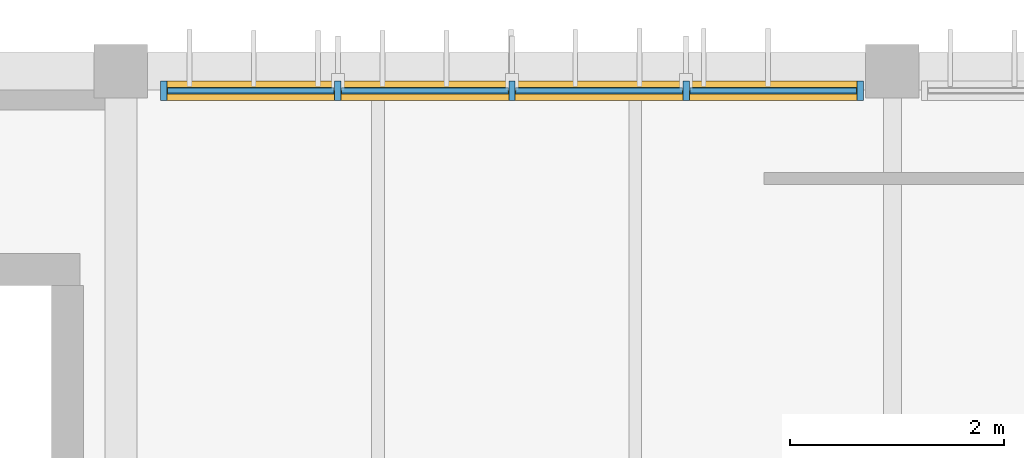
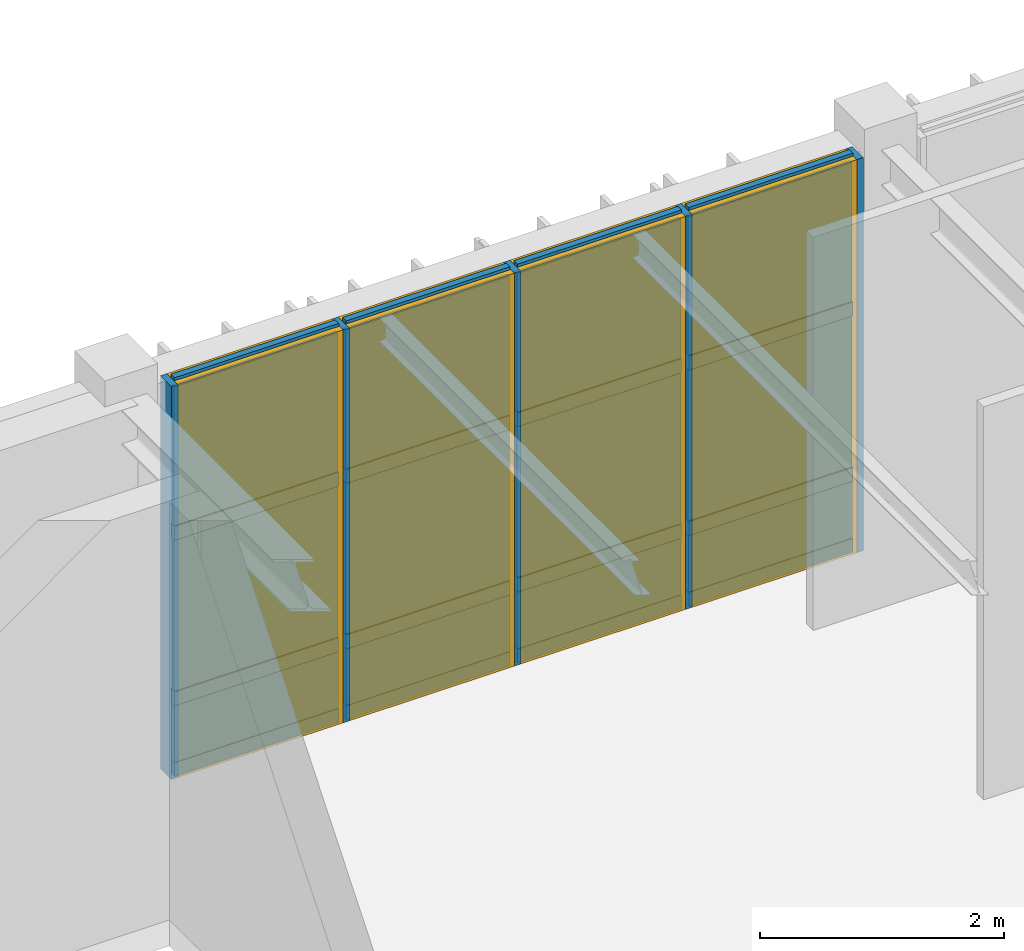
# One storey, part 96 of 122: 21 members, 12 plates, 1 curtain wall.
"""IFC4 building model written with IfcOpenShell, lengths in metres."""

import ifcopenshell
import ifcopenshell.guid

model = None  # the IFC model being written
_history = None  # IfcOwnerHistory: only IFC2X3 demands one
_inside = {}  # id of a spatial element -> (the spatial element, [elements in it])
_under = {}  # id of a project, library or spatial element -> (it, [spatial elements below it])
_declared = {}  # id of a project -> (the project, [libraries it declares])
_typed = {}  # id of a type object -> (the type object, [elements of that type])
_made_of = {}  # id of a material, layer set ... -> (it, [elements and type objects made of it])


def new_model(schema):
    """Start an empty IFC model of exactly this schema.

    Asked for "IFC4X3", IfcOpenShell would pick the latest addendum, in which some entities
    have other attributes; the version numbers below select the first issue.
    IFC2X3 requires an IfcOwnerHistory on every rooted entity: one is made here for all.
    """
    global model, _history
    if schema == "IFC4X3":
        model = ifcopenshell.file(schema_version=(4, 3, 0, 0))
    else:
        model = ifcopenshell.file(schema=schema)
    _inside.clear()
    _under.clear()
    _declared.clear()
    _typed.clear()
    _made_of.clear()
    _history = None
    if model.schema == "IFC2X3":
        org = make("IfcOrganization", Name="unknown")
        user = make(
            "IfcPersonAndOrganization",
            ThePerson=make("IfcPerson", FamilyName="unknown"),
            TheOrganization=org,
        )
        app = make(
            "IfcApplication",
            ApplicationDeveloper=org,
            Version="unknown",
            ApplicationFullName="unknown",
            ApplicationIdentifier="unknown",
        )
        _history = make(
            "IfcOwnerHistory",
            OwningUser=user,
            OwningApplication=app,
            ChangeAction="ADDED",
            CreationDate=0,
        )
    return model


def make(cls, **values):
    """One entity of the class cls with the attributes given. An attribute that is None is left unset."""
    return model.create_entity(
        cls, **{name: value for name, value in values.items() if value is not None}
    )


def rooted(cls, **values):
    """An entity with a GlobalId (a new one), such as an element, a storey or a relation."""
    return make(cls, GlobalId=ifcopenshell.guid.new(), OwnerHistory=_history, **values)


def si_unit(unit_type, name, prefix=None):
    """IfcSIUnit, for example si_unit("LENGTHUNIT", "METRE", prefix="MILLI")."""
    return make("IfcSIUnit", UnitType=unit_type, Prefix=prefix, Name=name)


def assignment(units):
    """IfcUnitAssignment: the units of a project."""
    return None if units is None else make("IfcUnitAssignment", Units=units)


def point(xyz):
    """IfcCartesianPoint."""
    return None if xyz is None else make("IfcCartesianPoint", Coordinates=xyz)


def direction(xyz):
    """IfcDirection."""
    return None if xyz is None else make("IfcDirection", DirectionRatios=xyz)


def frame(location, z_axis=None, x_axis=None):
    """IfcAxis2Placement3D, a coordinate frame: its origin and axes. An axis left out is left unset."""
    return make(
        "IfcAxis2Placement3D",
        Location=point(location),
        Axis=direction(z_axis),
        RefDirection=direction(x_axis),
    )


def frame_2d(location, x_axis=None):
    """IfcAxis2Placement2D, a coordinate frame in the plane: its origin and x axis."""
    return make(
        "IfcAxis2Placement2D", Location=point(location), RefDirection=direction(x_axis)
    )


def origin():
    """The frame at (0, 0, 0) with its axes left unset."""
    return frame((0.0, 0.0, 0.0))


def origin_2d():
    """The frame at (0, 0) in the plane with its x axis left unset."""
    return frame_2d((0.0, 0.0))


def place(relative_to, where):
    """IfcLocalPlacement: puts the frame where relative to a parent placement (None: the world)."""
    return make(
        "IfcLocalPlacement", PlacementRelTo=relative_to, RelativePlacement=where
    )


def context(
    kind, dimensions, precision=None, world=None, true_north=None, identifier=None
):
    """IfcGeometricRepresentationContext, for example the 3D "Model" context."""
    return make(
        "IfcGeometricRepresentationContext",
        ContextIdentifier=identifier,
        ContextType=kind,
        CoordinateSpaceDimension=dimensions,
        Precision=precision,
        WorldCoordinateSystem=world,
        TrueNorth=true_north,
    )


def subcontext(parent, identifier, kind, view, scale=None):
    """IfcGeometricRepresentationSubContext, for example "Body" below "Model"."""
    return make(
        "IfcGeometricRepresentationSubContext",
        ContextIdentifier=identifier,
        ContextType=kind,
        ParentContext=parent,
        TargetScale=scale,
        TargetView=view,
    )


def project(units=None, contexts=None):
    """IfcProject with its units and contexts."""
    return rooted(
        "IfcProject",
        Name="project",
        RepresentationContexts=contexts,
        UnitsInContext=assignment(units),
    )


def spatial(cls, under=None, at=None, **own):
    """A site, building, storey or space (cls), placed at a placement, below another one or the project."""
    s = rooted(cls, ObjectPlacement=at, **own)
    if under is not None:
        _under.setdefault(under.id(), (under, []))[1].append(s)
    return s


def profile(cls, at=None, kind="AREA", **sizes):
    """A parametric profile (cls). Its sizes go by their IFC names, for example OverallWidth=200.0."""
    return make(cls, ProfileType=kind, Position=at, **sizes)


def rectangle(**sizes):
    """IfcRectangleProfileDef."""
    return profile("IfcRectangleProfileDef", **sizes)


def extrude(swept, where, along, depth):
    """IfcExtrudedAreaSolid: the profile swept, set in the frame where, extruded along a direction by depth."""
    return make(
        "IfcExtrudedAreaSolid",
        SweptArea=swept,
        Position=where,
        ExtrudedDirection=direction(along),
        Depth=depth,
    )


def shape(context_of_items, identifier, shape_type, items):
    """IfcShapeRepresentation: the items that make up one representation, for example the "Body"."""
    return make(
        "IfcShapeRepresentation",
        ContextOfItems=context_of_items,
        RepresentationIdentifier=identifier,
        RepresentationType=shape_type,
        Items=items,
    )


def material(Name=None, Category=None):
    """IfcMaterial."""
    return make("IfcMaterial", Name=Name, Category=Category)


def layer(
    of_material, thickness, ventilated=None, Name=None, Category=None, Priority=None
):
    """IfcMaterialLayer: one layer of a wall or slab, of a material (None: an air gap)."""
    return make(
        "IfcMaterialLayer",
        Material=of_material,
        LayerThickness=thickness,
        IsVentilated=ventilated,
        Name=Name,
        Category=Category,
        Priority=Priority,
    )


def layer_set(layers, Name=None):
    """IfcMaterialLayerSet."""
    return make("IfcMaterialLayerSet", MaterialLayers=layers, LayerSetName=Name)


def material_profile(
    of_material, cross_section, Name=None, Category=None, Priority=None
):
    """IfcMaterialProfile: a cross section and its material."""
    return make(
        "IfcMaterialProfile",
        Name=Name,
        Material=of_material,
        Profile=cross_section,
        Priority=Priority,
        Category=Category,
    )


def profile_set(profiles, Name=None, composite=None):
    """IfcMaterialProfileSet."""
    return make(
        "IfcMaterialProfileSet",
        Name=Name,
        MaterialProfiles=profiles,
        CompositeProfile=composite,
    )


def made_of(thing, what):
    """Note that an element or type object is made of a material, layer set ...; save() writes the relation."""
    if what is not None:
        _made_of.setdefault(what.id(), (what, []))[1].append(thing)
    return thing


def type_object(cls, material=None, **own):
    """A type object (cls), such as IfcWallType, which elements share."""
    return made_of(rooted(cls, **own), material)


def element(
    cls,
    number,
    at=None,
    inside=None,
    cuts=None,
    type_object=None,
    material=None,
    context=None,
    identifier="Body",
    shape_type=None,
    held_by="IfcProductDefinitionShape",
    body=None,
    shapes=None,
    **own,
):
    """One element of the class cls, such as IfcWall. Its Tag is "e" and its number.

    at: its placement. inside: the storey or other place that contains it. cuts: it is an
    opening in that element (IfcRelVoidsElement). A single representation is given by context,
    identifier, shape_type and body (its items); several are given by shapes. held_by: the class
    of the entity that holds the representations. save() writes the other relations.
    """
    e = rooted(cls, Tag="e%d" % number, ObjectPlacement=at, **own)
    if body is not None:
        shapes = [shape(context, identifier, shape_type, body)]
    if shapes is not None:
        e.Representation = make(held_by, Representations=shapes)
    if inside is not None:
        _inside.setdefault(inside.id(), (inside, []))[1].append(e)
    if cuts is not None:
        rooted(
            "IfcRelVoidsElement", RelatingBuildingElement=cuts, RelatedOpeningElement=e
        )
    if type_object is not None:
        _typed.setdefault(type_object.id(), (type_object, []))[1].append(e)
    return made_of(e, material)


def aggregate(whole, parts):
    """IfcRelAggregates: a whole, such as a stair, and the parts it consists of."""
    return rooted("IfcRelAggregates", RelatingObject=whole, RelatedObjects=parts)


def save(model, path):
    """Write the relations noted so far, then the file.

    IfcRelAggregates (storeys below a building ...), IfcRelContainedInSpatialStructure (elements
    in a storey), IfcRelDefinesByType, IfcRelAssociatesMaterial and IfcRelDeclares: one each for
    every whole, place, type object, material and project.
    """
    for whole, parts in _under.values():
        aggregate(whole, parts)
    for where, things in _inside.values():
        rooted(
            "IfcRelContainedInSpatialStructure",
            RelatedElements=things,
            RelatingStructure=where,
        )
    for kind, things in _typed.values():
        rooted("IfcRelDefinesByType", RelatedObjects=things, RelatingType=kind)
    for what, things in _made_of.values():
        rooted("IfcRelAssociatesMaterial", RelatedObjects=things, RelatingMaterial=what)
    for by, libraries in _declared.values():
        rooted("IfcRelDeclares", RelatingContext=by, RelatedDefinitions=libraries)
    model.write(path)


model = new_model("IFC4")

# Units and contexts
model_context = context("Model", 3, precision=1e-05, world=origin(), true_north=direction((0.0, 1.0)))
body_context = subcontext(model_context, "Body", "Model", "MODEL_VIEW")
ifc_project = project(units=[si_unit("LENGTHUNIT", "METRE"), si_unit("AREAUNIT", "SQUARE_METRE"), si_unit("VOLUMEUNIT", "CUBIC_METRE"), si_unit("PLANEANGLEUNIT", "RADIAN"), si_unit("MASSUNIT", "GRAM", prefix="KILO")], contexts=[model_context])

# Member
ifc_material_1 = material(Name="Anodised Bronze Aluminium 6063-T6", Category="aluminium")
ifc_material_profile_1 = material_profile(ifc_material_1, rectangle(XDim=0.06005859375, YDim=0.179931640625, at=origin_2d()), Name="ALU MULLION 60x180")
ifc_profile_set_1 = profile_set([ifc_material_profile_1], Name="Anodised Bronze Aluminium 6063-T6")
member_type_1 = type_object("IfcMemberType", Name="Curtain-Wall Primary Mullion 60x180", PredefinedType="MULLION", material=ifc_profile_set_1)
site_placement = place(None, origin())
building_placement = place(site_placement, origin())
storey_placement = place(building_placement, frame((0.0, 0.0, 4.800048828125)))
member_1_placement = place(storey_placement, frame((103.0, 111.6201171875, 0.0), z_axis=(0.0, 0.0, 1.0), x_axis=(1.0, 0.0, 0.0)))
member_1 = element("IfcMember", 1, at=member_1_placement, type_object=member_type_1, Name="Mullion CWM-01 CW-V3-N1-L01-B1-M01", PredefinedType="MULLION", context=body_context, shape_type="SweptSolid", body=[
    extrude(rectangle(XDim=0.06005859375, YDim=0.179931640625, at=origin_2d()), origin(), (0.0, 0.0, 1.0), 3.93994140625),
])

member_2_placement = place(storey_placement, frame((104.625, 111.6201171875, 0.0), z_axis=(0.0, 0.0, 1.0), x_axis=(1.0, 0.0, 0.0)))
member_2 = element("IfcMember", 2, at=member_2_placement, type_object=member_type_1, Name="Mullion CWM-01 CW-V3-N1-L01-B1-M02", PredefinedType="MULLION", context=body_context, shape_type="SweptSolid", body=[
    extrude(rectangle(XDim=0.06005859375, YDim=0.179931640625, at=origin_2d()), origin(), (0.0, 0.0, 1.0), 3.93994140625),
])

member_3_placement = place(storey_placement, frame((106.25, 111.6201171875, 0.0), z_axis=(0.0, 0.0, 1.0), x_axis=(1.0, 0.0, 0.0)))
member_3 = element("IfcMember", 3, at=member_3_placement, type_object=member_type_1, Name="Mullion CWM-01 CW-V3-N1-L01-B1-M03", PredefinedType="MULLION", context=body_context, shape_type="SweptSolid", body=[
    extrude(rectangle(XDim=0.06005859375, YDim=0.179931640625, at=origin_2d()), origin(), (0.0, 0.0, 1.0), 3.93994140625),
])

member_4_placement = place(storey_placement, frame((107.875, 111.6201171875, 0.0), z_axis=(0.0, 0.0, 1.0), x_axis=(1.0, 0.0, 0.0)))
member_4 = element("IfcMember", 4, at=member_4_placement, type_object=member_type_1, Name="Mullion CWM-01 CW-V3-N1-L01-B1-M04", PredefinedType="MULLION", context=body_context, shape_type="SweptSolid", body=[
    extrude(rectangle(XDim=0.06005859375, YDim=0.179931640625, at=origin_2d()), origin(), (0.0, 0.0, 1.0), 3.93994140625),
])

member_5_placement = place(storey_placement, frame((109.5, 111.6201171875, 0.0), z_axis=(0.0, 0.0, 1.0), x_axis=(1.0, 0.0, 0.0)))
member_5 = element("IfcMember", 5, at=member_5_placement, type_object=member_type_1, Name="Mullion CWM-01 CW-V3-N1-L01-B1-M05", PredefinedType="MULLION", context=body_context, shape_type="SweptSolid", body=[
    extrude(rectangle(XDim=0.06005859375, YDim=0.179931640625, at=origin_2d()), origin(), (0.0, 0.0, 1.0), 3.93994140625),
])

ifc_material_profile_2 = material_profile(ifc_material_1, rectangle(XDim=0.06005859375, YDim=0.139892578125, at=origin_2d()), Name="ALU TRANSOM 60x140")
ifc_profile_set_2 = profile_set([ifc_material_profile_2], Name="Anodised Bronze Aluminium 6063-T6")
member_type_2 = type_object("IfcMemberType", Name="Curtain-Wall Transom 60x140", PredefinedType="USERDEFINED", material=ifc_profile_set_2)
member_6_placement = place(storey_placement, frame((103.034912109375, 111.6201171875, 0.0400390625), z_axis=(1.0, 0.0, 0.0), x_axis=(0.0, 1.0, 0.0)))
member_6 = element("IfcMember", 6, at=member_6_placement, type_object=member_type_2, Name="Transom CWT-01 CW-V3-N1-L01-B1-T01.1", ObjectType="TRANSOM", PredefinedType="USERDEFINED", context=body_context, shape_type="SweptSolid", body=[
    extrude(rectangle(XDim=0.06005859375, YDim=0.139892578125, at=origin_2d()), origin(), (0.0, 0.0, 1.0), 1.55517578125),
])

member_7_placement = place(storey_placement, frame((103.034912109375, 111.6201171875, 0.75), z_axis=(1.0, 0.0, 0.0), x_axis=(0.0, 1.0, 0.0)))
member_7 = element("IfcMember", 7, at=member_7_placement, type_object=member_type_2, Name="Transom CWT-01 CW-V3-N1-L01-B1-T01.2", ObjectType="TRANSOM", PredefinedType="USERDEFINED", context=body_context, shape_type="SweptSolid", body=[
    extrude(rectangle(XDim=0.06005859375, YDim=0.139892578125, at=origin_2d()), origin(), (0.0, 0.0, 1.0), 1.55517578125),
])

member_8_placement = place(storey_placement, frame((103.034912109375, 111.6201171875, 2.40869140625), z_axis=(1.0, 0.0, 0.0), x_axis=(0.0, 1.0, 0.0)))
member_8 = element("IfcMember", 8, at=member_8_placement, type_object=member_type_2, Name="Transom CWT-01 CW-V3-N1-L01-B1-T01.3", ObjectType="TRANSOM", PredefinedType="USERDEFINED", context=body_context, shape_type="SweptSolid", body=[
    extrude(rectangle(XDim=0.06005859375, YDim=0.139892578125, at=origin_2d()), origin(), (0.0, 0.0, 1.0), 1.55517578125),
])

member_9_placement = place(storey_placement, frame((103.034912109375, 111.6201171875, 3.89990234375), z_axis=(1.0, 0.0, 0.0), x_axis=(0.0, 1.0, 0.0)))
member_9 = element("IfcMember", 9, at=member_9_placement, type_object=member_type_2, Name="Transom CWT-01 CW-V3-N1-L01-B1-T01.4", ObjectType="TRANSOM", PredefinedType="USERDEFINED", context=body_context, shape_type="SweptSolid", body=[
    extrude(rectangle(XDim=0.06005859375, YDim=0.139892578125, at=origin_2d()), origin(), (0.0, 0.0, 1.0), 1.55517578125),
])

member_10_placement = place(storey_placement, frame((104.659912109375, 111.6201171875, 0.0400390625), z_axis=(1.0, 0.0, 0.0), x_axis=(0.0, 1.0, 0.0)))
member_10 = element("IfcMember", 10, at=member_10_placement, type_object=member_type_2, Name="Transom CWT-01 CW-V3-N1-L01-B1-T02.1", ObjectType="TRANSOM", PredefinedType="USERDEFINED", context=body_context, shape_type="SweptSolid", body=[
    extrude(rectangle(XDim=0.06005859375, YDim=0.139892578125, at=origin_2d()), origin(), (0.0, 0.0, 1.0), 1.55517578125),
])

member_11_placement = place(storey_placement, frame((104.659912109375, 111.6201171875, 0.75), z_axis=(1.0, 0.0, 0.0), x_axis=(0.0, 1.0, 0.0)))
member_11 = element("IfcMember", 11, at=member_11_placement, type_object=member_type_2, Name="Transom CWT-01 CW-V3-N1-L01-B1-T02.2", ObjectType="TRANSOM", PredefinedType="USERDEFINED", context=body_context, shape_type="SweptSolid", body=[
    extrude(rectangle(XDim=0.06005859375, YDim=0.139892578125, at=origin_2d()), origin(), (0.0, 0.0, 1.0), 1.55517578125),
])

member_12_placement = place(storey_placement, frame((104.659912109375, 111.6201171875, 2.40869140625), z_axis=(1.0, 0.0, 0.0), x_axis=(0.0, 1.0, 0.0)))
member_12 = element("IfcMember", 12, at=member_12_placement, type_object=member_type_2, Name="Transom CWT-01 CW-V3-N1-L01-B1-T02.3", ObjectType="TRANSOM", PredefinedType="USERDEFINED", context=body_context, shape_type="SweptSolid", body=[
    extrude(rectangle(XDim=0.06005859375, YDim=0.139892578125, at=origin_2d()), origin(), (0.0, 0.0, 1.0), 1.55517578125),
])

member_13_placement = place(storey_placement, frame((104.659912109375, 111.6201171875, 3.89990234375), z_axis=(1.0, 0.0, 0.0), x_axis=(0.0, 1.0, 0.0)))
member_13 = element("IfcMember", 13, at=member_13_placement, type_object=member_type_2, Name="Transom CWT-01 CW-V3-N1-L01-B1-T02.4", ObjectType="TRANSOM", PredefinedType="USERDEFINED", context=body_context, shape_type="SweptSolid", body=[
    extrude(rectangle(XDim=0.06005859375, YDim=0.139892578125, at=origin_2d()), origin(), (0.0, 0.0, 1.0), 1.55517578125),
])

member_14_placement = place(storey_placement, frame((106.284912109375, 111.6201171875, 0.0400390625), z_axis=(1.0, 0.0, 0.0), x_axis=(0.0, 1.0, 0.0)))
member_14 = element("IfcMember", 14, at=member_14_placement, type_object=member_type_2, Name="Transom CWT-01 CW-V3-N1-L01-B1-T03.1", ObjectType="TRANSOM", PredefinedType="USERDEFINED", context=body_context, shape_type="SweptSolid", body=[
    extrude(rectangle(XDim=0.06005859375, YDim=0.139892578125, at=origin_2d()), origin(), (0.0, 0.0, 1.0), 1.55517578125),
])

member_15_placement = place(storey_placement, frame((106.284912109375, 111.6201171875, 0.75), z_axis=(1.0, 0.0, 0.0), x_axis=(0.0, 1.0, 0.0)))
member_15 = element("IfcMember", 15, at=member_15_placement, type_object=member_type_2, Name="Transom CWT-01 CW-V3-N1-L01-B1-T03.2", ObjectType="TRANSOM", PredefinedType="USERDEFINED", context=body_context, shape_type="SweptSolid", body=[
    extrude(rectangle(XDim=0.06005859375, YDim=0.139892578125, at=origin_2d()), origin(), (0.0, 0.0, 1.0), 1.55517578125),
])

member_16_placement = place(storey_placement, frame((106.284912109375, 111.6201171875, 2.40869140625), z_axis=(1.0, 0.0, 0.0), x_axis=(0.0, 1.0, 0.0)))
member_16 = element("IfcMember", 16, at=member_16_placement, type_object=member_type_2, Name="Transom CWT-01 CW-V3-N1-L01-B1-T03.3", ObjectType="TRANSOM", PredefinedType="USERDEFINED", context=body_context, shape_type="SweptSolid", body=[
    extrude(rectangle(XDim=0.06005859375, YDim=0.139892578125, at=origin_2d()), origin(), (0.0, 0.0, 1.0), 1.55517578125),
])

member_17_placement = place(storey_placement, frame((106.284912109375, 111.6201171875, 3.89990234375), z_axis=(1.0, 0.0, 0.0), x_axis=(0.0, 1.0, 0.0)))
member_17 = element("IfcMember", 17, at=member_17_placement, type_object=member_type_2, Name="Transom CWT-01 CW-V3-N1-L01-B1-T03.4", ObjectType="TRANSOM", PredefinedType="USERDEFINED", context=body_context, shape_type="SweptSolid", body=[
    extrude(rectangle(XDim=0.06005859375, YDim=0.139892578125, at=origin_2d()), origin(), (0.0, 0.0, 1.0), 1.55517578125),
])

member_18_placement = place(storey_placement, frame((107.909912109375, 111.6201171875, 0.0400390625), z_axis=(1.0, 0.0, 0.0), x_axis=(0.0, 1.0, 0.0)))
member_18 = element("IfcMember", 18, at=member_18_placement, type_object=member_type_2, Name="Transom CWT-01 CW-V3-N1-L01-B1-T04.1", ObjectType="TRANSOM", PredefinedType="USERDEFINED", context=body_context, shape_type="SweptSolid", body=[
    extrude(rectangle(XDim=0.06005859375, YDim=0.139892578125, at=origin_2d()), origin(), (0.0, 0.0, 1.0), 1.55517578125),
])

member_19_placement = place(storey_placement, frame((107.909912109375, 111.6201171875, 0.75), z_axis=(1.0, 0.0, 0.0), x_axis=(0.0, 1.0, 0.0)))
member_19 = element("IfcMember", 19, at=member_19_placement, type_object=member_type_2, Name="Transom CWT-01 CW-V3-N1-L01-B1-T04.2", ObjectType="TRANSOM", PredefinedType="USERDEFINED", context=body_context, shape_type="SweptSolid", body=[
    extrude(rectangle(XDim=0.06005859375, YDim=0.139892578125, at=origin_2d()), origin(), (0.0, 0.0, 1.0), 1.55517578125),
])

member_20_placement = place(storey_placement, frame((107.909912109375, 111.6201171875, 2.40869140625), z_axis=(1.0, 0.0, 0.0), x_axis=(0.0, 1.0, 0.0)))
member_20 = element("IfcMember", 20, at=member_20_placement, type_object=member_type_2, Name="Transom CWT-01 CW-V3-N1-L01-B1-T04.3", ObjectType="TRANSOM", PredefinedType="USERDEFINED", context=body_context, shape_type="SweptSolid", body=[
    extrude(rectangle(XDim=0.06005859375, YDim=0.139892578125, at=origin_2d()), origin(), (0.0, 0.0, 1.0), 1.55517578125),
])

member_21_placement = place(storey_placement, frame((107.909912109375, 111.6201171875, 3.89990234375), z_axis=(1.0, 0.0, 0.0), x_axis=(0.0, 1.0, 0.0)))
member_21 = element("IfcMember", 21, at=member_21_placement, type_object=member_type_2, Name="Transom CWT-01 CW-V3-N1-L01-B1-T04.4", ObjectType="TRANSOM", PredefinedType="USERDEFINED", context=body_context, shape_type="SweptSolid", body=[
    extrude(rectangle(XDim=0.06005859375, YDim=0.139892578125, at=origin_2d()), origin(), (0.0, 0.0, 1.0), 1.55517578125),
])

# Plate
ifc_material_2 = material(Name="Insulated Bronze Aluminium Spandrel Panel", Category="aluminium")
ifc_layer_1 = layer(ifc_material_2, 0.050048828125, Name="Insulated Bronze Aluminium Spandrel Panel")
ifc_layer_set_1 = layer_set([ifc_layer_1], Name="Insulated Bronze Aluminium Spandrel Panel")
plate_type_1 = type_object("IfcPlateType", Name="Insulated Anodised Aluminium Spandrel Cassette 50", PredefinedType="CURTAIN_PANEL", material=ifc_layer_set_1)
plate_1_placement = place(storey_placement, frame((103.8125, 111.6201171875, 0.070068359375), z_axis=(0.0, 0.0, 1.0), x_axis=(1.0, 0.0, 0.0)))
plate_1 = element("IfcPlate", 22, at=plate_1_placement, type_object=plate_type_1, Name="Curtain Panel CWP-03 CW-V3-N1-L01-B1-P01.1", PredefinedType="CURTAIN_PANEL", context=body_context, shape_type="SweptSolid", body=[
    extrude(rectangle(XDim=1.554931640625, YDim=0.050048828125, at=origin_2d()), origin(), (0.0, 0.0, 1.0), 0.64990234375),
])

plate_2_placement = place(storey_placement, frame((105.4375, 111.6201171875, 0.070068359375), z_axis=(0.0, 0.0, 1.0), x_axis=(1.0, 0.0, 0.0)))
plate_2 = element("IfcPlate", 23, at=plate_2_placement, type_object=plate_type_1, Name="Curtain Panel CWP-03 CW-V3-N1-L01-B1-P02.1", PredefinedType="CURTAIN_PANEL", context=body_context, shape_type="SweptSolid", body=[
    extrude(rectangle(XDim=1.554931640625, YDim=0.050048828125, at=origin_2d()), origin(), (0.0, 0.0, 1.0), 0.64990234375),
])

plate_3_placement = place(storey_placement, frame((107.0625, 111.6201171875, 0.070068359375), z_axis=(0.0, 0.0, 1.0), x_axis=(1.0, 0.0, 0.0)))
plate_3 = element("IfcPlate", 24, at=plate_3_placement, type_object=plate_type_1, Name="Curtain Panel CWP-03 CW-V3-N1-L01-B1-P03.1", PredefinedType="CURTAIN_PANEL", context=body_context, shape_type="SweptSolid", body=[
    extrude(rectangle(XDim=1.554931640625, YDim=0.050048828125, at=origin_2d()), origin(), (0.0, 0.0, 1.0), 0.64990234375),
])

plate_4_placement = place(storey_placement, frame((108.6875, 111.6201171875, 0.070068359375), z_axis=(0.0, 0.0, 1.0), x_axis=(1.0, 0.0, 0.0)))
plate_4 = element("IfcPlate", 25, at=plate_4_placement, type_object=plate_type_1, Name="Curtain Panel CWP-03 CW-V3-N1-L01-B1-P04.1", PredefinedType="CURTAIN_PANEL", context=body_context, shape_type="SweptSolid", body=[
    extrude(rectangle(XDim=1.554931640625, YDim=0.050048828125, at=origin_2d()), origin(), (0.0, 0.0, 1.0), 0.64990234375),
])

ifc_material_3 = material(Name="Solar-Control Tempered Double Glazing", Category="glass")
ifc_layer_2 = layer(ifc_material_3, 0.0380859375, Name="Solar-Control Tempered Double Glazing")
ifc_layer_set_2 = layer_set([ifc_layer_2], Name="Solar-Control Tempered Double Glazing")
plate_type_2 = type_object("IfcPlateType", Name="Solar-Control Vision Glazing Unit 38", PredefinedType="CURTAIN_PANEL", material=ifc_layer_set_2)
plate_5_placement = place(storey_placement, frame((103.8125, 111.6201171875, 0.77978515625), z_axis=(0.0, 0.0, 1.0), x_axis=(1.0, 0.0, 0.0)))
plate_5 = element("IfcPlate", 26, at=plate_5_placement, type_object=plate_type_2, Name="Curtain Panel CWP-02 CW-V3-N1-L01-B1-P01.2", PredefinedType="CURTAIN_PANEL", context=body_context, shape_type="SweptSolid", body=[
    extrude(rectangle(XDim=1.554931640625, YDim=0.0380859375, at=origin_2d()), origin(), (0.0, 0.0, 1.0), 1.598876953125),
])

plate_6_placement = place(storey_placement, frame((103.8125, 111.6201171875, 2.438720703125), z_axis=(0.0, 0.0, 1.0), x_axis=(1.0, 0.0, 0.0)))
plate_6 = element("IfcPlate", 27, at=plate_6_placement, type_object=plate_type_2, Name="Curtain Panel CWP-02 CW-V3-N1-L01-B1-P01.3", PredefinedType="CURTAIN_PANEL", context=body_context, shape_type="SweptSolid", body=[
    extrude(rectangle(XDim=1.554931640625, YDim=0.0380859375, at=origin_2d()), origin(), (0.0, 0.0, 1.0), 1.43115234375),
])

plate_7_placement = place(storey_placement, frame((105.4375, 111.6201171875, 0.77978515625), z_axis=(0.0, 0.0, 1.0), x_axis=(1.0, 0.0, 0.0)))
plate_7 = element("IfcPlate", 28, at=plate_7_placement, type_object=plate_type_2, Name="Curtain Panel CWP-02 CW-V3-N1-L01-B1-P02.2", PredefinedType="CURTAIN_PANEL", context=body_context, shape_type="SweptSolid", body=[
    extrude(rectangle(XDim=1.554931640625, YDim=0.0380859375, at=origin_2d()), origin(), (0.0, 0.0, 1.0), 1.598876953125),
])

plate_8_placement = place(storey_placement, frame((105.4375, 111.6201171875, 2.438720703125), z_axis=(0.0, 0.0, 1.0), x_axis=(1.0, 0.0, 0.0)))
plate_8 = element("IfcPlate", 29, at=plate_8_placement, type_object=plate_type_2, Name="Curtain Panel CWP-02 CW-V3-N1-L01-B1-P02.3", PredefinedType="CURTAIN_PANEL", context=body_context, shape_type="SweptSolid", body=[
    extrude(rectangle(XDim=1.554931640625, YDim=0.0380859375, at=origin_2d()), origin(), (0.0, 0.0, 1.0), 1.43115234375),
])

plate_9_placement = place(storey_placement, frame((107.0625, 111.6201171875, 0.77978515625), z_axis=(0.0, 0.0, 1.0), x_axis=(1.0, 0.0, 0.0)))
plate_9 = element("IfcPlate", 30, at=plate_9_placement, type_object=plate_type_2, Name="Curtain Panel CWP-02 CW-V3-N1-L01-B1-P03.2", PredefinedType="CURTAIN_PANEL", context=body_context, shape_type="SweptSolid", body=[
    extrude(rectangle(XDim=1.554931640625, YDim=0.0380859375, at=origin_2d()), origin(), (0.0, 0.0, 1.0), 1.598876953125),
])

plate_10_placement = place(storey_placement, frame((107.0625, 111.6201171875, 2.438720703125), z_axis=(0.0, 0.0, 1.0), x_axis=(1.0, 0.0, 0.0)))
plate_10 = element("IfcPlate", 31, at=plate_10_placement, type_object=plate_type_2, Name="Curtain Panel CWP-02 CW-V3-N1-L01-B1-P03.3", PredefinedType="CURTAIN_PANEL", context=body_context, shape_type="SweptSolid", body=[
    extrude(rectangle(XDim=1.554931640625, YDim=0.0380859375, at=origin_2d()), origin(), (0.0, 0.0, 1.0), 1.43115234375),
])

plate_11_placement = place(storey_placement, frame((108.6875, 111.6201171875, 0.77978515625), z_axis=(0.0, 0.0, 1.0), x_axis=(1.0, 0.0, 0.0)))
plate_11 = element("IfcPlate", 32, at=plate_11_placement, type_object=plate_type_2, Name="Curtain Panel CWP-02 CW-V3-N1-L01-B1-P04.2", PredefinedType="CURTAIN_PANEL", context=body_context, shape_type="SweptSolid", body=[
    extrude(rectangle(XDim=1.554931640625, YDim=0.0380859375, at=origin_2d()), origin(), (0.0, 0.0, 1.0), 1.598876953125),
])

plate_12_placement = place(storey_placement, frame((108.6875, 111.6201171875, 2.438720703125), z_axis=(0.0, 0.0, 1.0), x_axis=(1.0, 0.0, 0.0)))
plate_12 = element("IfcPlate", 33, at=plate_12_placement, type_object=plate_type_2, Name="Curtain Panel CWP-02 CW-V3-N1-L01-B1-P04.3", PredefinedType="CURTAIN_PANEL", context=body_context, shape_type="SweptSolid", body=[
    extrude(rectangle(XDim=1.554931640625, YDim=0.0380859375, at=origin_2d()), origin(), (0.0, 0.0, 1.0), 1.43115234375),
])

# Site, building, storey
site = spatial("IfcSite", under=ifc_project, at=site_placement, CompositionType="ELEMENT")
building = spatial("IfcBuilding", under=site, at=building_placement, Name="Tazoul Stagehouse", CompositionType="ELEMENT")
storey = spatial("IfcBuildingStorey", under=building, at=storey_placement, Name="L01", CompositionType="ELEMENT", Elevation=4.800048828125)

# Curtain wall
curtain_wall_type = type_object("IfcCurtainWallType", Name="Rehearsal North Daylight Curtain Wall", PredefinedType="NOTDEFINED", material=ifc_material_1)
curtain_wall_placement = place(storey_placement, frame((103.0, 111.6201171875, 0.0), z_axis=(0.0, 0.0, 1.0), x_axis=(1.0, 0.0, 0.0)))
curtain_wall = element("IfcCurtainWall", 34, at=curtain_wall_placement, inside=storey, type_object=curtain_wall_type, Name="L01 Curtain Wall CW-04 (CW-V3-N1-L01-B1)", PredefinedType="NOTDEFINED", context=body_context, shape_type="SweptSolid", body=[
    extrude(rectangle(XDim=6.5, YDim=0.179931640625, at=frame_2d((3.25, 0.0))), origin(), (0.0, 0.0, 1.0), 3.93994140625),
])

aggregate(curtain_wall, [member_1, member_2, member_3, member_4, member_5, member_6, member_7, member_8, member_9, plate_1, plate_5, plate_6, member_10, member_11, member_12, member_13, plate_2, plate_7, plate_8, member_14, member_15, member_16, member_17, plate_3, plate_9, plate_10, member_18, member_19, member_20, member_21, plate_4, plate_11, plate_12])

save(model, "model.ifc")
